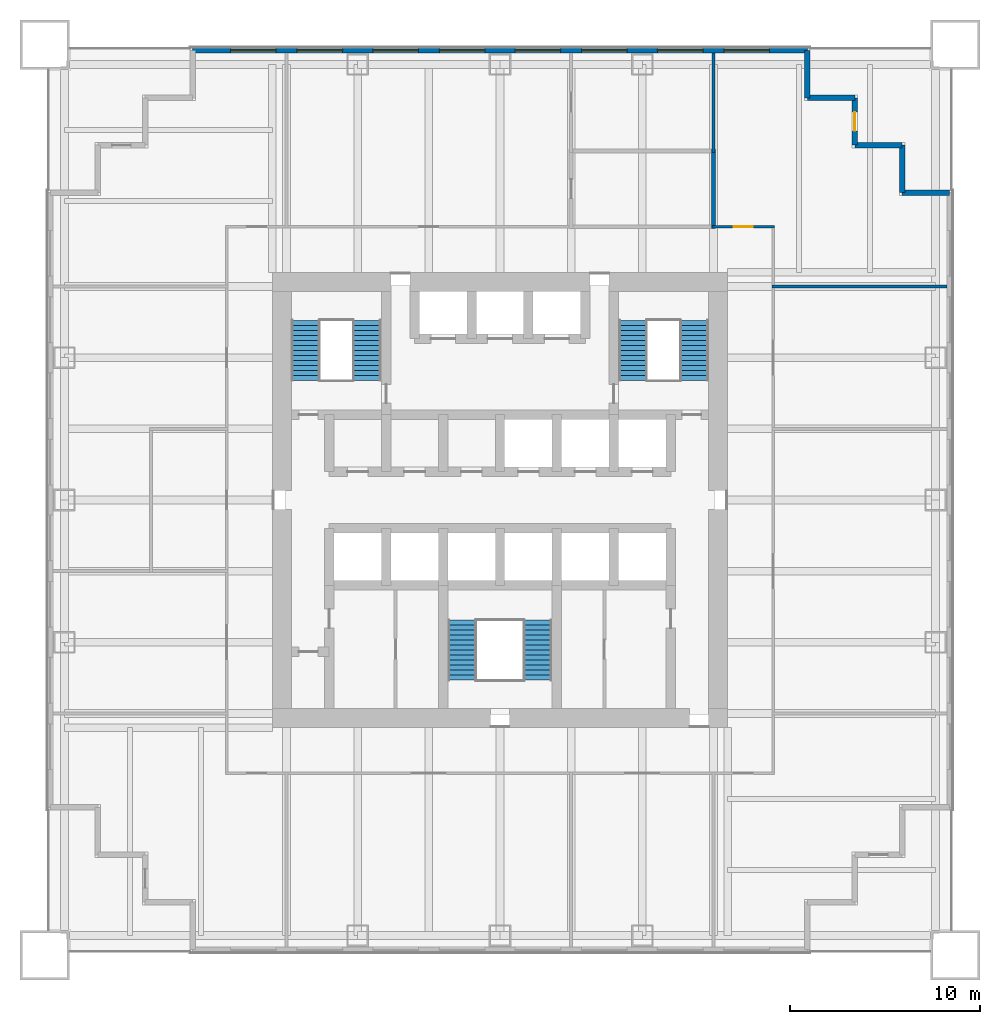
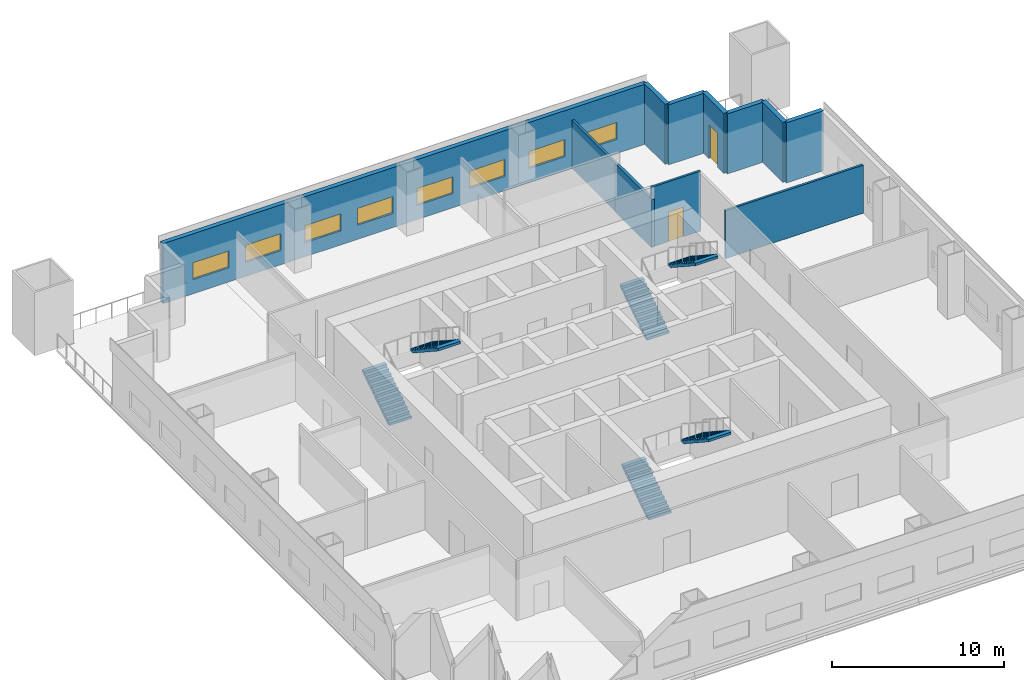
# One storey, part 5 of 7: 11 walls, 8 windows, 6 stair flights, 2 doors, 10 openings, 3 elements without a shape of their own.
"""IFC4 building model written with IfcOpenShell, lengths in metres."""

from ifc_helpers import new_model, si_unit, direction, frame, frame_2d, origin, place, context, subcontext, project, spatial, polyline, rectangle, outline, extrude, material, layer, layer_set, type_object, element, fill, aggregate, save


model = new_model("IFC4")

# Units and contexts
model_context = context("Model", 3, precision=1e-05, world=origin(), true_north=direction((0.0, 1.0)))
body_context = subcontext(model_context, "Body", "Model", "MODEL_VIEW")
ifc_project = project(units=[si_unit("LENGTHUNIT", "METRE"), si_unit("AREAUNIT", "SQUARE_METRE"), si_unit("VOLUMEUNIT", "CUBIC_METRE"), si_unit("PLANEANGLEUNIT", "RADIAN"), si_unit("MASSUNIT", "GRAM", prefix="KILO")], contexts=[model_context])

# Site, building, storey
site_placement = place(None, origin())
site = spatial("IfcSite", under=ifc_project, at=site_placement, CompositionType="ELEMENT")
building_placement = place(site_placement, origin())
building = spatial("IfcBuilding", under=site, at=building_placement, Name="Tarangal Relay Tower", CompositionType="ELEMENT")
storey_placement = place(building_placement, frame((0.0, 0.0, 167.39990234375)))
storey = spatial("IfcBuildingStorey", under=building, at=storey_placement, Name="L34", CompositionType="ELEMENT", Elevation=167.39990234375)

# Wall
ifc_material_1 = material(Name="Two layers gypsum board each side on twin steel studs, mineral wool", Category="steel")
ifc_layer_1 = layer(ifc_material_1, 0.199951171875)
ifc_layer_set_1 = layer_set([ifc_layer_1], Name="Acoustic partition 200")
wall_type_1 = type_object("IfcWallType", Name="Acoustic partition 200", PredefinedType="PARTITIONING", material=ifc_layer_set_1)
wall_1_placement = place(storey_placement, frame((11.25, 14.300048828125, 0.0), z_axis=(0.0, 0.0, 1.0), x_axis=(0.0, 1.0, 0.0)))
element("IfcWall", 1, at=wall_1_placement, inside=storey, type_object=wall_type_1, Name="Partition PT2 L34", PredefinedType="PARTITIONING", context=body_context, shape_type="SweptSolid", body=[
    extrude(rectangle(XDim=4.199951171875, YDim=0.199951171875, at=frame_2d((2.10009765625, 0.0))), origin(), (0.0, 0.0, 1.0), 3.409423828125),
])

# Wall, openings, windows
ifc_material_2 = material(Name="Insulated precast concrete fc' 40 MPa", Category="concrete")
ifc_layer_2 = layer(ifc_material_2, 0.300048828125)
ifc_layer_set_2 = layer_set([ifc_layer_2], Name="Insulated precast concrete fc' 40 MPa")
wall_type_2 = type_object("IfcWallType", Name="Facade wall precast 300", PredefinedType="SOLIDWALL", material=ifc_layer_set_2)
wall_2_placement = place(storey_placement, frame((-16.199951171875, 23.699951171875, 0.0), z_axis=(0.0, 0.0, 1.0), x_axis=(1.0, 0.0, 0.0)))
wall_2 = element("IfcWall", 2, at=wall_2_placement, inside=storey, type_object=wall_type_2, Name="Facade wall N facade L34", PredefinedType="SOLIDWALL", context=body_context, shape_type="SweptSolid", body=[
    extrude(rectangle(XDim=32.39990234375, YDim=0.300048828125, at=frame_2d((16.199951171875, 0.0))), origin(), (0.0, 0.0, 1.0), 4.25),
])
opening_1_placement = place(wall_2_placement, frame((2.0, 0.0, 1.0)))
opening_1 = element("IfcOpeningElement", 3, at=opening_1_placement, cuts=wall_2, Name="Opening WN1", PredefinedType="OPENING", context=body_context, shape_type="SweptSolid", body=[
    extrude(rectangle(XDim=2.39990234375, YDim=1.199951171875, at=frame_2d((1.199951171875, 0.60009765625))), frame((0.0, 0.159912109375, 0.0), z_axis=(0.0, -1.0, 0.0), x_axis=(1.0, 0.0, 0.0)), (0.0, 0.0, 1.0), 0.320068359375),
])
opening_2_placement = place(wall_2_placement, frame((5.5, 0.0, 1.0)))
opening_2 = element("IfcOpeningElement", 4, at=opening_2_placement, cuts=wall_2, Name="Opening WN1", PredefinedType="OPENING", context=body_context, shape_type="SweptSolid", body=[
    extrude(rectangle(XDim=2.39990234375, YDim=1.199951171875, at=frame_2d((1.199951171875, 0.60009765625))), frame((0.0, 0.159912109375, 0.0), z_axis=(0.0, -1.0, 0.0), x_axis=(1.0, 0.0, 0.0)), (0.0, 0.0, 1.0), 0.320068359375),
])
opening_3_placement = place(wall_2_placement, frame((9.5, 0.0, 1.0)))
opening_3 = element("IfcOpeningElement", 5, at=opening_3_placement, cuts=wall_2, Name="Opening WN1", PredefinedType="OPENING", context=body_context, shape_type="SweptSolid", body=[
    extrude(rectangle(XDim=2.39990234375, YDim=1.199951171875, at=frame_2d((1.199951171875, 0.60009765625))), frame((0.0, 0.159912109375, 0.0), z_axis=(0.0, -1.0, 0.0), x_axis=(1.0, 0.0, 0.0)), (0.0, 0.0, 1.0), 0.320068359375),
])
opening_4_placement = place(wall_2_placement, frame((13.0, 0.0, 1.0)))
opening_4 = element("IfcOpeningElement", 6, at=opening_4_placement, cuts=wall_2, Name="Opening WN1", PredefinedType="OPENING", context=body_context, shape_type="SweptSolid", body=[
    extrude(rectangle(XDim=2.39990234375, YDim=1.199951171875, at=frame_2d((1.199951171875, 0.60009765625))), frame((0.0, 0.159912109375, 0.0), z_axis=(0.0, -1.0, 0.0), x_axis=(1.0, 0.0, 0.0)), (0.0, 0.0, 1.0), 0.320068359375),
])
opening_5_placement = place(wall_2_placement, frame((17.0, 0.0, 1.0)))
opening_5 = element("IfcOpeningElement", 7, at=opening_5_placement, cuts=wall_2, Name="Opening WN1", PredefinedType="OPENING", context=body_context, shape_type="SweptSolid", body=[
    extrude(rectangle(XDim=2.39990234375, YDim=1.199951171875, at=frame_2d((1.199951171875, 0.60009765625))), frame((0.0, 0.159912109375, 0.0), z_axis=(0.0, -1.0, 0.0), x_axis=(1.0, 0.0, 0.0)), (0.0, 0.0, 1.0), 0.320068359375),
])
opening_6_placement = place(wall_2_placement, frame((20.5, 0.0, 1.0)))
opening_6 = element("IfcOpeningElement", 8, at=opening_6_placement, cuts=wall_2, Name="Opening WN1", PredefinedType="OPENING", context=body_context, shape_type="SweptSolid", body=[
    extrude(rectangle(XDim=2.39990234375, YDim=1.199951171875, at=frame_2d((1.199951171875, 0.60009765625))), frame((0.0, 0.159912109375, 0.0), z_axis=(0.0, -1.0, 0.0), x_axis=(1.0, 0.0, 0.0)), (0.0, 0.0, 1.0), 0.320068359375),
])
opening_7_placement = place(wall_2_placement, frame((24.5, 0.0, 1.0)))
opening_7 = element("IfcOpeningElement", 9, at=opening_7_placement, cuts=wall_2, Name="Opening WN1", PredefinedType="OPENING", context=body_context, shape_type="SweptSolid", body=[
    extrude(rectangle(XDim=2.39990234375, YDim=1.199951171875, at=frame_2d((1.199951171875, 0.60009765625))), frame((0.0, 0.159912109375, 0.0), z_axis=(0.0, -1.0, 0.0), x_axis=(1.0, 0.0, 0.0)), (0.0, 0.0, 1.0), 0.320068359375),
])
opening_8_placement = place(wall_2_placement, frame((28.0, 0.0, 1.0)))
opening_8 = element("IfcOpeningElement", 10, at=opening_8_placement, cuts=wall_2, Name="Opening WN1", PredefinedType="OPENING", context=body_context, shape_type="SweptSolid", body=[
    extrude(rectangle(XDim=2.39990234375, YDim=1.199951171875, at=frame_2d((1.199951171875, 0.60009765625))), frame((0.0, 0.159912109375, 0.0), z_axis=(0.0, -1.0, 0.0), x_axis=(1.0, 0.0, 0.0)), (0.0, 0.0, 1.0), 0.320068359375),
])
ifc_material_3 = material(Name="Dark tinted double glazing in black aluminium frame", Category="aluminium")
window_type = type_object("IfcWindowType", Name="Ribbon window 2400 x 1200", PartitioningType="SINGLE_PANEL", PredefinedType="WINDOW", material=ifc_material_3)
window_1_placement = place(opening_1_placement, origin())
window_1 = element("IfcWindow", 11, at=window_1_placement, inside=storey, type_object=window_type, Name="Ribbon window WN1 N facade L34", OverallHeight=1.199951171875, OverallWidth=2.39990234375, PartitioningType="SINGLE_PANEL", PredefinedType="WINDOW", context=body_context, shape_type="SweptSolid", body=[
    extrude(rectangle(XDim=2.39990234375, YDim=1.199951171875, at=frame_2d((1.199951171875, 0.60009765625))), frame((0.0, 0.030029296875, 0.0), z_axis=(0.0, -1.0, 0.0), x_axis=(1.0, 0.0, 0.0)), (0.0, 0.0, 1.0), 0.06005859375),
])
fill(opening_1, window_1)
window_2_placement = place(opening_2_placement, origin())
window_2 = element("IfcWindow", 12, at=window_2_placement, inside=storey, type_object=window_type, Name="Ribbon window WN1 N facade L34", OverallHeight=1.199951171875, OverallWidth=2.39990234375, PartitioningType="SINGLE_PANEL", PredefinedType="WINDOW", context=body_context, shape_type="SweptSolid", body=[
    extrude(rectangle(XDim=2.39990234375, YDim=1.199951171875, at=frame_2d((1.199951171875, 0.60009765625))), frame((0.0, 0.030029296875, 0.0), z_axis=(0.0, -1.0, 0.0), x_axis=(1.0, 0.0, 0.0)), (0.0, 0.0, 1.0), 0.06005859375),
])
fill(opening_2, window_2)
window_3_placement = place(opening_3_placement, origin())
window_3 = element("IfcWindow", 13, at=window_3_placement, inside=storey, type_object=window_type, Name="Ribbon window WN1 N facade L34", OverallHeight=1.199951171875, OverallWidth=2.39990234375, PartitioningType="SINGLE_PANEL", PredefinedType="WINDOW", context=body_context, shape_type="SweptSolid", body=[
    extrude(rectangle(XDim=2.39990234375, YDim=1.199951171875, at=frame_2d((1.199951171875, 0.60009765625))), frame((0.0, 0.030029296875, 0.0), z_axis=(0.0, -1.0, 0.0), x_axis=(1.0, 0.0, 0.0)), (0.0, 0.0, 1.0), 0.06005859375),
])
fill(opening_3, window_3)
window_4_placement = place(opening_4_placement, origin())
window_4 = element("IfcWindow", 14, at=window_4_placement, inside=storey, type_object=window_type, Name="Ribbon window WN1 N facade L34", OverallHeight=1.199951171875, OverallWidth=2.39990234375, PartitioningType="SINGLE_PANEL", PredefinedType="WINDOW", context=body_context, shape_type="SweptSolid", body=[
    extrude(rectangle(XDim=2.39990234375, YDim=1.199951171875, at=frame_2d((1.199951171875, 0.60009765625))), frame((0.0, 0.030029296875, 0.0), z_axis=(0.0, -1.0, 0.0), x_axis=(1.0, 0.0, 0.0)), (0.0, 0.0, 1.0), 0.06005859375),
])
fill(opening_4, window_4)
window_5_placement = place(opening_5_placement, origin())
window_5 = element("IfcWindow", 15, at=window_5_placement, inside=storey, type_object=window_type, Name="Ribbon window WN1 N facade L34", OverallHeight=1.199951171875, OverallWidth=2.39990234375, PartitioningType="SINGLE_PANEL", PredefinedType="WINDOW", context=body_context, shape_type="SweptSolid", body=[
    extrude(rectangle(XDim=2.39990234375, YDim=1.199951171875, at=frame_2d((1.199951171875, 0.60009765625))), frame((0.0, 0.030029296875, 0.0), z_axis=(0.0, -1.0, 0.0), x_axis=(1.0, 0.0, 0.0)), (0.0, 0.0, 1.0), 0.06005859375),
])
fill(opening_5, window_5)
window_6_placement = place(opening_6_placement, origin())
window_6 = element("IfcWindow", 16, at=window_6_placement, inside=storey, type_object=window_type, Name="Ribbon window WN1 N facade L34", OverallHeight=1.199951171875, OverallWidth=2.39990234375, PartitioningType="SINGLE_PANEL", PredefinedType="WINDOW", context=body_context, shape_type="SweptSolid", body=[
    extrude(rectangle(XDim=2.39990234375, YDim=1.199951171875, at=frame_2d((1.199951171875, 0.60009765625))), frame((0.0, 0.030029296875, 0.0), z_axis=(0.0, -1.0, 0.0), x_axis=(1.0, 0.0, 0.0)), (0.0, 0.0, 1.0), 0.06005859375),
])
fill(opening_6, window_6)
window_7_placement = place(opening_7_placement, origin())
window_7 = element("IfcWindow", 17, at=window_7_placement, inside=storey, type_object=window_type, Name="Ribbon window WN1 N facade L34", OverallHeight=1.199951171875, OverallWidth=2.39990234375, PartitioningType="SINGLE_PANEL", PredefinedType="WINDOW", context=body_context, shape_type="SweptSolid", body=[
    extrude(rectangle(XDim=2.39990234375, YDim=1.199951171875, at=frame_2d((1.199951171875, 0.60009765625))), frame((0.0, 0.030029296875, 0.0), z_axis=(0.0, -1.0, 0.0), x_axis=(1.0, 0.0, 0.0)), (0.0, 0.0, 1.0), 0.06005859375),
])
fill(opening_7, window_7)
window_8_placement = place(opening_8_placement, origin())
window_8 = element("IfcWindow", 18, at=window_8_placement, inside=storey, type_object=window_type, Name="Ribbon window WN1 N facade L34", OverallHeight=1.199951171875, OverallWidth=2.39990234375, PartitioningType="SINGLE_PANEL", PredefinedType="WINDOW", context=body_context, shape_type="SweptSolid", body=[
    extrude(rectangle(XDim=2.39990234375, YDim=1.199951171875, at=frame_2d((1.199951171875, 0.60009765625))), frame((0.0, 0.030029296875, 0.0), z_axis=(0.0, -1.0, 0.0), x_axis=(1.0, 0.0, 0.0)), (0.0, 0.0, 1.0), 0.06005859375),
])
fill(opening_8, window_8)

# Walls
for number, where, z_axis, x_axis, name in (
    (19, (16.199951171875, 23.699951171875, 0.0), (0.0, 0.0, 1.0), (0.0, -1.0, 0.0), "Facade wall N facade L34"),
    (20, (16.199951171875, 21.199951171875, 0.0), (0.0, 0.0, 1.0), (1.0, 0.0, 0.0), "Facade wall N facade L34"),
):
    element("IfcWall", number, at=place(storey_placement, frame(where, z_axis=z_axis, x_axis=x_axis)), inside=storey, type_object=wall_type_2, Name=name, PredefinedType="SOLIDWALL", context=body_context, shape_type="SweptSolid", body=[
        extrude(rectangle(XDim=2.5, YDim=0.300048828125, at=frame_2d((1.25, 0.0))), origin(), (0.0, 0.0, 1.0), 4.25),
    ])

# Wall, opening, door
wall_3_placement = place(storey_placement, frame((18.699951171875, 21.199951171875, 0.0), z_axis=(0.0, 0.0, 1.0), x_axis=(0.0, -1.0, 0.0)))
wall_3 = element("IfcWall", 21, at=wall_3_placement, inside=storey, type_object=wall_type_2, Name="Facade wall N facade L34", PredefinedType="SOLIDWALL", context=body_context, shape_type="SweptSolid", body=[
    extrude(rectangle(XDim=2.5, YDim=0.300048828125, at=frame_2d((1.25, 0.0))), origin(), (0.0, 0.0, 1.0), 4.25),
])
opening_9_placement = place(wall_3_placement, frame((0.75, 0.0, 0.0)))
opening_9 = element("IfcOpeningElement", 22, at=opening_9_placement, cuts=wall_3, Name="Opening TD1", PredefinedType="OPENING", context=body_context, shape_type="SweptSolid", body=[
    extrude(rectangle(XDim=1.0, YDim=2.39990234375, at=frame_2d((0.5, 1.199951171875))), frame((0.0, 0.159912109375, 0.0), z_axis=(0.0, -1.0, 0.0), x_axis=(1.0, 0.0, 0.0)), (0.0, 0.0, 1.0), 0.320068359375),
])
ifc_material_4 = material(Name="Aluminium glazed door", Category="aluminium")
door_type_1 = type_object("IfcDoorType", Name="Terrace door 1000 x 2400", OperationType="SINGLE_SWING_RIGHT", PredefinedType="DOOR", material=ifc_material_4)
door_1_placement = place(opening_9_placement, origin())
door_1 = element("IfcDoor", 23, at=door_1_placement, inside=storey, type_object=door_type_1, Name="Terrace door TD1 NE L34", OperationType="SINGLE_SWING_RIGHT", OverallHeight=2.39990234375, OverallWidth=1.0, PredefinedType="DOOR", context=body_context, shape_type="SweptSolid", body=[
    extrude(rectangle(XDim=1.0, YDim=2.39990234375, at=frame_2d((0.5, 1.199951171875))), frame((0.0, 0.02490234375, 0.0), z_axis=(0.0, -1.0, 0.0), x_axis=(1.0, 0.0, 0.0)), (0.0, 0.0, 1.0), 0.050048828125),
])
fill(opening_9, door_1)

# Walls
for number, where, z_axis, x_axis, name in (
    (24, (18.699951171875, 18.699951171875, 0.0), (0.0, 0.0, 1.0), (1.0, 0.0, 0.0), "Facade wall N facade L34"),
    (25, (21.199951171875, 18.699951171875, 0.0), (0.0, 0.0, 1.0), (0.0, -1.0, 0.0), "Facade wall N facade L34"),
    (26, (21.199951171875, 16.199951171875, 0.0), (0.0, 0.0, 1.0), (1.0, 0.0, 0.0), "Facade wall N facade L34"),
):
    element("IfcWall", number, at=place(storey_placement, frame(where, z_axis=z_axis, x_axis=x_axis)), inside=storey, type_object=wall_type_2, Name=name, PredefinedType="SOLIDWALL", context=body_context, shape_type="SweptSolid", body=[
        extrude(rectangle(XDim=2.5, YDim=0.300048828125, at=frame_2d((1.25, 0.0))), origin(), (0.0, 0.0, 1.0), 4.25),
    ])
ifc_material_5 = material(Name="Gypsum board on steel studs", Category="steel")
ifc_layer_3 = layer(ifc_material_5, 0.14990234375)
ifc_layer_set_3 = layer_set([ifc_layer_3], Name="Partition 150")
wall_type_3 = type_object("IfcWallType", Name="Partition 150", PredefinedType="PARTITIONING", material=ifc_layer_set_3)
wall_4_placement = place(storey_placement, frame((14.324951171875, 11.25, 0.0), z_axis=(0.0, 0.0, 1.0), x_axis=(1.0, 0.0, 0.0)))
element("IfcWall", 27, at=wall_4_placement, inside=storey, type_object=wall_type_3, Name="Partition PT1 L34", PredefinedType="PARTITIONING", context=body_context, shape_type="SweptSolid", body=[
    extrude(rectangle(XDim=9.22509765625, YDim=0.14990234375, at=frame_2d((4.612548828125, 0.0))), origin(), (0.0, 0.0, 1.0), 3.409423828125),
])

# Wall, opening, door
wall_5_placement = place(storey_placement, frame((11.175048828125, 14.39990234375, 0.0), z_axis=(0.0, 0.0, 1.0), x_axis=(1.0, 0.0, 0.0)))
wall_5 = element("IfcWall", 28, at=wall_5_placement, inside=storey, type_object=wall_type_3, Name="Partition PT1 L34", PredefinedType="PARTITIONING", context=body_context, shape_type="SweptSolid", body=[
    extrude(rectangle(XDim=3.300048828125, YDim=0.14990234375, at=frame_2d((1.64990234375, 0.0))), origin(), (0.0, 0.0, 1.0), 4.25),
])
opening_10_placement = place(wall_5_placement, frame((1.14990234375, 0.0, 0.0)))
opening_10 = element("IfcOpeningElement", 29, at=opening_10_placement, cuts=wall_5, Name="Opening D2", PredefinedType="OPENING", context=body_context, shape_type="SweptSolid", body=[
    extrude(rectangle(XDim=1.0, YDim=2.10009765625, at=frame_2d((0.5, 1.050048828125))), frame((0.0, 0.0849609375, 0.0), z_axis=(0.0, -1.0, 0.0), x_axis=(1.0, 0.0, 0.0)), (0.0, 0.0, 1.0), 0.169921875),
])
ifc_material_6 = material(Name="Hardwood door", Category="wood")
door_type_2 = type_object("IfcDoorType", Name="Door 1000 x 2100", OperationType="SINGLE_SWING_LEFT", PredefinedType="DOOR", material=ifc_material_6)
door_2_placement = place(opening_10_placement, origin())
door_2 = element("IfcDoor", 30, at=door_2_placement, inside=storey, type_object=door_type_2, Name="Door D2 to engineering office L34-12", OperationType="SINGLE_SWING_LEFT", OverallHeight=2.10009765625, OverallWidth=1.0, PredefinedType="DOOR", context=body_context, shape_type="SweptSolid", body=[
    extrude(rectangle(XDim=1.0, YDim=2.10009765625, at=frame_2d((0.5, 1.050048828125))), frame((0.0, 0.02490234375, 0.0), z_axis=(0.0, -1.0, 0.0), x_axis=(1.0, 0.0, 0.0)), (0.0, 0.0, 1.0), 0.050048828125),
])
fill(opening_10, door_2)

# Wall
wall_6_placement = place(storey_placement, frame((11.25, 18.324951171875, 0.0), z_axis=(0.0, 0.0, 1.0), x_axis=(0.0, 1.0, 0.0)))
element("IfcWall", 31, at=wall_6_placement, inside=storey, type_object=wall_type_3, Name="Partition PT1 L34", PredefinedType="PARTITIONING", context=body_context, shape_type="SweptSolid", body=[
    extrude(rectangle(XDim=5.22509765625, YDim=0.14990234375, at=frame_2d((2.612548828125, 0.0))), origin(), (0.0, 0.0, 1.0), 3.409423828125),
])

# Stair, stair flights
ifc_material_7 = material(Name="Steel ASTM A992 stair flight", Category="steel")
stair_type = type_object("IfcStairType", Name="Core stair 1500", PredefinedType="HALF_TURN_STAIR", material=ifc_material_7)
stair_1_placement = place(storey_placement, origin())
stair_1 = element("IfcStair", 32, at=stair_1_placement, inside=storey, type_object=stair_type, Name="Stair ST-A L34", PredefinedType="HALF_TURN_STAIR")
stair_flight_type = type_object("IfcStairFlightType", Name="Steel stair flight 1500, 13 risers 173 x 264", PredefinedType="STRAIGHT", material=ifc_material_7)
stair_flight_1_placement = place(storey_placement, frame((-10.25, 6.300048828125, 0.0), z_axis=(0.0, 0.0, 1.0), x_axis=(0.0, 1.0, 0.0)))
stair_flight_1 = element("IfcStairFlight", 33, at=stair_flight_1_placement, type_object=stair_flight_type, Name="ST-A flight 1", NumberOfRisers=13, NumberOfTreads=12, PredefinedType="STRAIGHT", RiserHeight=0.173076923, TreadLength=0.264, context=body_context, shape_type="SweptSolid", body=[
    extrude(outline(polyline([(0.0, 0.0), (0.0, 0.173095703125), (0.263916015625, 0.173095703125), (0.263916015625, 0.34619140625), (0.528076171875, 0.34619140625), (0.528076171875, 0.519287109375), (0.7919921875, 0.519287109375), (0.7919921875, 0.6923828125), (1.055908203125, 0.6923828125), (1.055908203125, 0.865478515625), (1.320068359375, 0.865478515625), (1.320068359375, 1.03857421875), (1.583984375, 1.03857421875), (1.583984375, 1.21142578125), (1.847900390625, 1.21142578125), (1.847900390625, 1.384521484375), (2.112060546875, 1.384521484375), (2.112060546875, 1.5576171875), (2.3759765625, 1.5576171875), (2.3759765625, 1.730712890625), (2.639892578125, 1.730712890625), (2.639892578125, 1.90380859375), (2.904052734375, 1.90380859375), (2.904052734375, 2.076904296875), (3.16796875, 2.076904296875), (3.16796875, 2.25), (3.16796875, 1.897705078125), (0.2734375, 0.0), (0.0, 0.0)])), frame((0.0, 0.75, 0.0), z_axis=(0.0, -1.0, 0.0), x_axis=(1.0, 0.0, 0.0)), (0.0, 0.0, 1.0), 1.5),
])
stair_flight_2_placement = place(storey_placement, frame((-7.0, 9.468017578125, 2.25), z_axis=(0.0, 0.0, 1.0), x_axis=(0.0, -1.0, 0.0)))
stair_flight_2 = element("IfcStairFlight", 34, at=stair_flight_2_placement, type_object=stair_flight_type, Name="ST-A flight 2", NumberOfRisers=13, NumberOfTreads=12, PredefinedType="STRAIGHT", RiserHeight=0.173076923, TreadLength=0.264, context=body_context, shape_type="SweptSolid", body=[
    extrude(outline(polyline([(0.0, 0.0), (0.0, 0.173095703125), (0.263916015625, 0.173095703125), (0.263916015625, 0.34619140625), (0.528076171875, 0.34619140625), (0.528076171875, 0.519287109375), (0.7919921875, 0.519287109375), (0.7919921875, 0.6923828125), (1.055908203125, 0.6923828125), (1.055908203125, 0.865478515625), (1.320068359375, 0.865478515625), (1.320068359375, 1.03857421875), (1.583984375, 1.03857421875), (1.583984375, 1.21142578125), (1.847900390625, 1.21142578125), (1.847900390625, 1.384521484375), (2.112060546875, 1.384521484375), (2.112060546875, 1.5576171875), (2.3759765625, 1.5576171875), (2.3759765625, 1.730712890625), (2.639892578125, 1.730712890625), (2.639892578125, 1.90380859375), (2.904052734375, 1.90380859375), (2.904052734375, 2.076904296875), (3.16796875, 2.076904296875), (3.16796875, 2.25), (3.16796875, 1.897705078125), (0.2734375, 0.0), (0.0, 0.0)])), frame((0.0, 0.75, 0.0), z_axis=(0.0, -1.0, 0.0), x_axis=(1.0, 0.0, 0.0)), (0.0, 0.0, 1.0), 1.5),
])
aggregate(stair_1, [stair_flight_1, stair_flight_2])

stair_2_placement = place(storey_placement, origin())
stair_2 = element("IfcStair", 35, at=stair_2_placement, inside=storey, type_object=stair_type, Name="Stair ST-B L34", PredefinedType="HALF_TURN_STAIR")
stair_flight_3_placement = place(storey_placement, frame((7.0, 6.300048828125, 0.0), z_axis=(0.0, 0.0, 1.0), x_axis=(0.0, 1.0, 0.0)))
stair_flight_3 = element("IfcStairFlight", 36, at=stair_flight_3_placement, type_object=stair_flight_type, Name="ST-B flight 1", NumberOfRisers=13, NumberOfTreads=12, PredefinedType="STRAIGHT", RiserHeight=0.173076923, TreadLength=0.264, context=body_context, shape_type="SweptSolid", body=[
    extrude(outline(polyline([(0.0, 0.0), (0.0, 0.173095703125), (0.263916015625, 0.173095703125), (0.263916015625, 0.34619140625), (0.528076171875, 0.34619140625), (0.528076171875, 0.519287109375), (0.7919921875, 0.519287109375), (0.7919921875, 0.6923828125), (1.055908203125, 0.6923828125), (1.055908203125, 0.865478515625), (1.320068359375, 0.865478515625), (1.320068359375, 1.03857421875), (1.583984375, 1.03857421875), (1.583984375, 1.21142578125), (1.847900390625, 1.21142578125), (1.847900390625, 1.384521484375), (2.112060546875, 1.384521484375), (2.112060546875, 1.5576171875), (2.3759765625, 1.5576171875), (2.3759765625, 1.730712890625), (2.639892578125, 1.730712890625), (2.639892578125, 1.90380859375), (2.904052734375, 1.90380859375), (2.904052734375, 2.076904296875), (3.16796875, 2.076904296875), (3.16796875, 2.25), (3.16796875, 1.897705078125), (0.2734375, 0.0), (0.0, 0.0)])), frame((0.0, 0.75, 0.0), z_axis=(0.0, -1.0, 0.0), x_axis=(1.0, 0.0, 0.0)), (0.0, 0.0, 1.0), 1.5),
])
stair_flight_4_placement = place(storey_placement, frame((10.25, 9.468017578125, 2.25), z_axis=(0.0, 0.0, 1.0), x_axis=(0.0, -1.0, 0.0)))
stair_flight_4 = element("IfcStairFlight", 37, at=stair_flight_4_placement, type_object=stair_flight_type, Name="ST-B flight 2", NumberOfRisers=13, NumberOfTreads=12, PredefinedType="STRAIGHT", RiserHeight=0.173076923, TreadLength=0.264, context=body_context, shape_type="SweptSolid", body=[
    extrude(outline(polyline([(0.0, 0.0), (0.0, 0.173095703125), (0.263916015625, 0.173095703125), (0.263916015625, 0.34619140625), (0.528076171875, 0.34619140625), (0.528076171875, 0.519287109375), (0.7919921875, 0.519287109375), (0.7919921875, 0.6923828125), (1.055908203125, 0.6923828125), (1.055908203125, 0.865478515625), (1.320068359375, 0.865478515625), (1.320068359375, 1.03857421875), (1.583984375, 1.03857421875), (1.583984375, 1.21142578125), (1.847900390625, 1.21142578125), (1.847900390625, 1.384521484375), (2.112060546875, 1.384521484375), (2.112060546875, 1.5576171875), (2.3759765625, 1.5576171875), (2.3759765625, 1.730712890625), (2.639892578125, 1.730712890625), (2.639892578125, 1.90380859375), (2.904052734375, 1.90380859375), (2.904052734375, 2.076904296875), (3.16796875, 2.076904296875), (3.16796875, 2.25), (3.16796875, 1.897705078125), (0.2734375, 0.0), (0.0, 0.0)])), frame((0.0, 0.75, 0.0), z_axis=(0.0, -1.0, 0.0), x_axis=(1.0, 0.0, 0.0)), (0.0, 0.0, 1.0), 1.5),
])
aggregate(stair_2, [stair_flight_3, stair_flight_4])

stair_3_placement = place(storey_placement, origin())
stair_3 = element("IfcStair", 38, at=stair_3_placement, inside=storey, type_object=stair_type, Name="Stair ST-C L34", PredefinedType="HALF_TURN_STAIR")
stair_flight_5_placement = place(storey_placement, frame((-2.0, -9.5, 0.0), z_axis=(0.0, 0.0, 1.0), x_axis=(0.0, 1.0, 0.0)))
stair_flight_5 = element("IfcStairFlight", 39, at=stair_flight_5_placement, type_object=stair_flight_type, Name="ST-C flight 1", NumberOfRisers=13, NumberOfTreads=12, PredefinedType="STRAIGHT", RiserHeight=0.173076923, TreadLength=0.264, context=body_context, shape_type="SweptSolid", body=[
    extrude(outline(polyline([(0.0, 0.0), (0.0, 0.173095703125), (0.263916015625, 0.173095703125), (0.263916015625, 0.34619140625), (0.528076171875, 0.34619140625), (0.528076171875, 0.519287109375), (0.7919921875, 0.519287109375), (0.7919921875, 0.6923828125), (1.055908203125, 0.6923828125), (1.055908203125, 0.865478515625), (1.320068359375, 0.865478515625), (1.320068359375, 1.03857421875), (1.583984375, 1.03857421875), (1.583984375, 1.21142578125), (1.847900390625, 1.21142578125), (1.847900390625, 1.384521484375), (2.112060546875, 1.384521484375), (2.112060546875, 1.5576171875), (2.3759765625, 1.5576171875), (2.3759765625, 1.730712890625), (2.639892578125, 1.730712890625), (2.639892578125, 1.90380859375), (2.904052734375, 1.90380859375), (2.904052734375, 2.076904296875), (3.16796875, 2.076904296875), (3.16796875, 2.25), (3.16796875, 1.897705078125), (0.2734375, 0.0), (0.0, 0.0)])), frame((0.0, 0.75, 0.0), z_axis=(0.0, -1.0, 0.0), x_axis=(1.0, 0.0, 0.0)), (0.0, 0.0, 1.0), 1.5),
])
stair_flight_6_placement = place(storey_placement, frame((2.0, -6.33203125, 2.25), z_axis=(0.0, 0.0, 1.0), x_axis=(0.0, -1.0, 0.0)))
stair_flight_6 = element("IfcStairFlight", 40, at=stair_flight_6_placement, type_object=stair_flight_type, Name="ST-C flight 2", NumberOfRisers=13, NumberOfTreads=12, PredefinedType="STRAIGHT", RiserHeight=0.173076923, TreadLength=0.264, context=body_context, shape_type="SweptSolid", body=[
    extrude(outline(polyline([(0.0, 0.0), (0.0, 0.173095703125), (0.263916015625, 0.173095703125), (0.263916015625, 0.34619140625), (0.528076171875, 0.34619140625), (0.528076171875, 0.519287109375), (0.7919921875, 0.519287109375), (0.7919921875, 0.6923828125), (1.055908203125, 0.6923828125), (1.055908203125, 0.865478515625), (1.320068359375, 0.865478515625), (1.320068359375, 1.03857421875), (1.583984375, 1.03857421875), (1.583984375, 1.21142578125), (1.847900390625, 1.21142578125), (1.847900390625, 1.384521484375), (2.112060546875, 1.384521484375), (2.112060546875, 1.5576171875), (2.3759765625, 1.5576171875), (2.3759765625, 1.730712890625), (2.639892578125, 1.730712890625), (2.639892578125, 1.90380859375), (2.904052734375, 1.90380859375), (2.904052734375, 2.076904296875), (3.16796875, 2.076904296875), (3.16796875, 2.25), (3.16796875, 1.897705078125), (0.2734375, 0.0), (0.0, 0.0)])), frame((0.0, 0.75, 0.0), z_axis=(0.0, -1.0, 0.0), x_axis=(1.0, 0.0, 0.0)), (0.0, 0.0, 1.0), 1.5),
])
aggregate(stair_3, [stair_flight_5, stair_flight_6])

save(model, "model.ifc")
